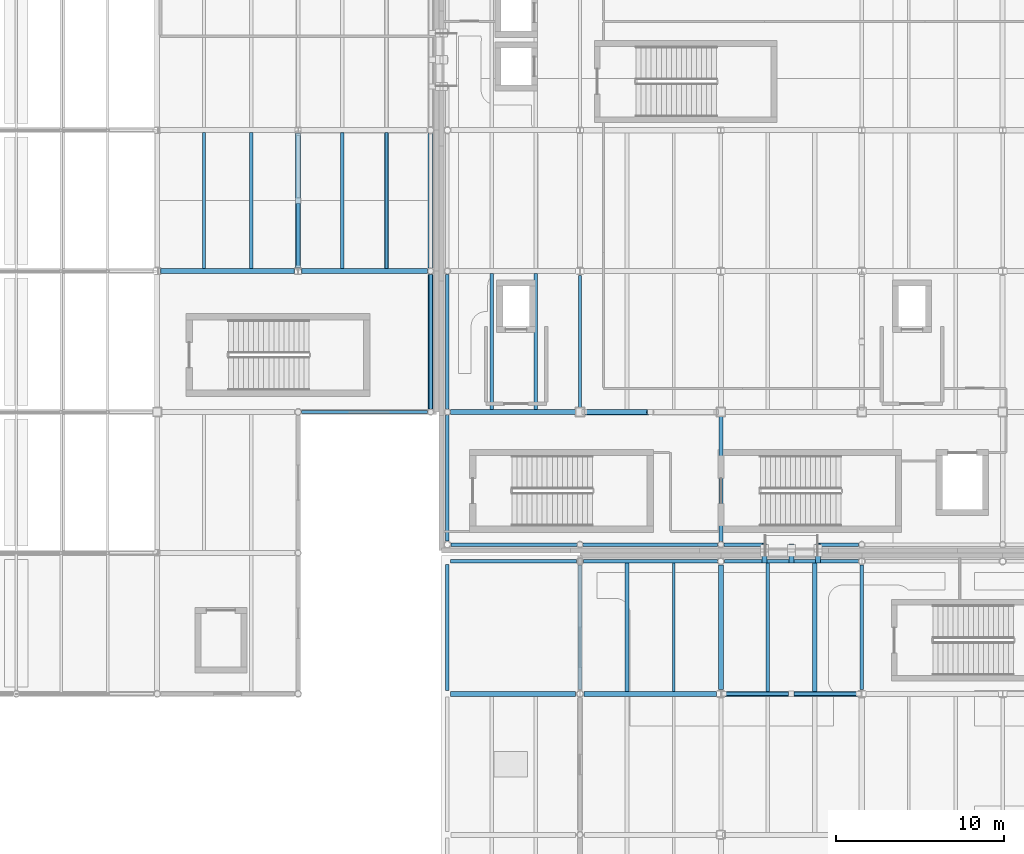
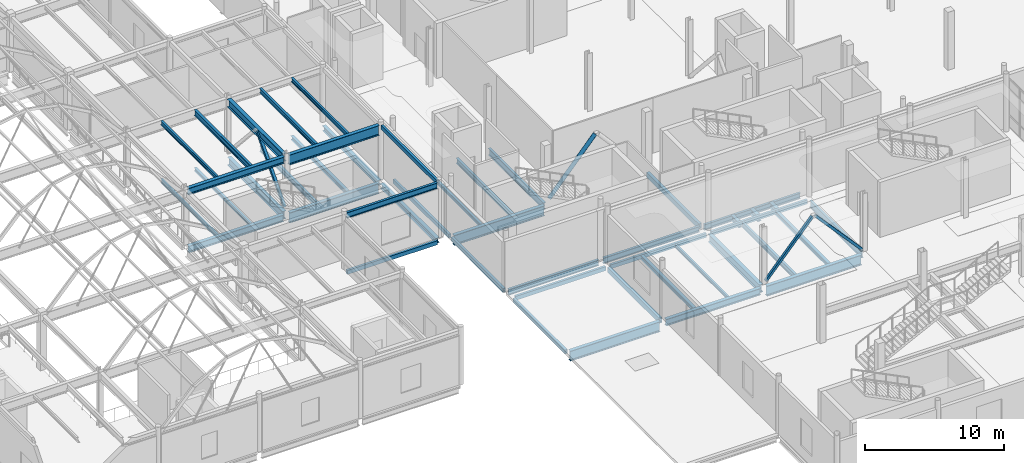
# One storey, part 24 of 103: 46 beams, 4 members.
"""IFC4 building model written with IfcOpenShell, lengths in metres."""

from ifc_helpers import new_model, si_unit, direction, frame, origin, origin_2d, place, context, subcontext, project, spatial, hollow_rectangle, hollow_circle, i_section, extrude, material, material_profile, profile_set, type_object, element, save


model = new_model("IFC4")

# Units and contexts
model_context = context("Model", 3, precision=1e-05, world=origin(), true_north=direction((0.0, 1.0)))
body_context = subcontext(model_context, "Body", "Model", "MODEL_VIEW")
ifc_project = project(units=[si_unit("LENGTHUNIT", "METRE"), si_unit("AREAUNIT", "SQUARE_METRE"), si_unit("VOLUMEUNIT", "CUBIC_METRE"), si_unit("PLANEANGLEUNIT", "RADIAN"), si_unit("MASSUNIT", "GRAM", prefix="KILO"), si_unit("THERMODYNAMICTEMPERATUREUNIT", "KELVIN")], contexts=[model_context])

# Site, building, storey
site_placement = place(None, origin())
site = spatial("IfcSite", under=ifc_project, at=site_placement, CompositionType="ELEMENT")
building_placement = place(site_placement, origin())
building = spatial("IfcBuilding", under=site, at=building_placement, Name="Lustrewick Department Store", CompositionType="ELEMENT")
storey_placement = place(building_placement, frame((0.0, 0.0, 16.5)))
storey = spatial("IfcBuildingStorey", under=building, at=storey_placement, Name="L04", CompositionType="ELEMENT", Elevation=16.5)

# Beams
ifc_material_1 = material(Name="Structural steel Q355B", Category="steel")
ifc_material_profile_1 = material_profile(ifc_material_1, i_section(OverallWidth=0.199951171875, OverallDepth=0.5, WebThickness=0.010009765625, FlangeThickness=0.01611328125, FilletRadius=0.01611328125, at=origin_2d()), Name="HN 500x200x10x16")
ifc_profile_set_1 = profile_set([ifc_material_profile_1], Name="Structural steel Q355B")
beam_type_1 = type_object("IfcBeamType", Name="B01", PredefinedType="JOIST", material=ifc_profile_set_1)
beam_1_placement = place(storey_placement, frame((98.0, 67.35009765625, 4.594970703125), z_axis=(0.0, 1.0, 0.0), x_axis=(-1.0, 0.0, 0.0)))
element("IfcBeam", 1, at=beam_1_placement, inside=storey, type_object=beam_type_1, Name="L04 V2 Secondary Joist B01", PredefinedType="JOIST", context=body_context, shape_type="SweptSolid", body=[
    extrude(i_section(OverallWidth=0.199951171875, OverallDepth=0.5, WebThickness=0.010009765625, FlangeThickness=0.01611328125, FilletRadius=0.01611328125, at=origin_2d()), origin(), (0.0, 0.0, 1.0), 8.100341796875),
])
ifc_material_profile_2 = material_profile(ifc_material_1, i_section(OverallWidth=0.198974609375, OverallDepth=0.446044921875, WebThickness=0.008056640625, FlangeThickness=0.011962890625, FilletRadius=0.01611328125, at=origin_2d()), Name="HN 446x199x8x12")
ifc_profile_set_2 = profile_set([ifc_material_profile_2], Name="Structural steel Q355B")
beam_type_2 = type_object("IfcBeamType", Name="B04", PredefinedType="JOIST", material=ifc_profile_set_2)
beam_2_placement = place(storey_placement, frame((103.433349609375, 67.35009765625, -0.47802734375), z_axis=(0.0, 1.0, 0.0), x_axis=(-1.0, 0.0, 0.0)))
element("IfcBeam", 2, at=beam_2_placement, inside=storey, type_object=beam_type_2, Name="L04 V2 Secondary Joist B04", PredefinedType="JOIST", context=body_context, shape_type="SweptSolid", body=[
    extrude(i_section(OverallWidth=0.198974609375, OverallDepth=0.446044921875, WebThickness=0.008056640625, FlangeThickness=0.011962890625, FilletRadius=0.01611328125, at=origin_2d()), origin(), (0.0, 0.0, 1.0), 8.098876953125),
])
beam_3_placement = place(storey_placement, frame((128.800048828125, 42.14990234375, -0.47802734375), z_axis=(0.0, 1.0, 0.0), x_axis=(-1.0, 0.0, 0.0)))
element("IfcBeam", 3, at=beam_3_placement, inside=storey, type_object=beam_type_2, Name="L04 V3 Secondary Joist B04", PredefinedType="JOIST", context=body_context, shape_type="SweptSolid", body=[
    extrude(i_section(OverallWidth=0.198974609375, OverallDepth=0.446044921875, WebThickness=0.008056640625, FlangeThickness=0.011962890625, FilletRadius=0.01611328125, at=origin_2d()), origin(), (0.0, 0.0, 1.0), 7.650146484375),
])
beam_4_placement = place(storey_placement, frame((114.966796875, 58.949951171875, -0.47802734375), z_axis=(0.0, 1.0, 0.0), x_axis=(-1.0, 0.0, 0.0)))
element("IfcBeam", 4, at=beam_4_placement, inside=storey, type_object=beam_type_2, Name="L04 V4 Secondary Joist B04", PredefinedType="JOIST", context=body_context, shape_type="SweptSolid", body=[
    extrude(i_section(OverallWidth=0.198974609375, OverallDepth=0.446044921875, WebThickness=0.008056640625, FlangeThickness=0.011962890625, FilletRadius=0.01611328125, at=origin_2d()), origin(), (0.0, 0.0, 1.0), 8.10009765625),
])
ifc_material_profile_3 = material_profile(ifc_material_1, i_section(OverallWidth=0.199951171875, OverallDepth=0.39990234375, WebThickness=0.008056640625, FlangeThickness=0.012939453125, FilletRadius=0.013916015625, at=origin_2d()), Name="HN 400x200x8x13")
ifc_profile_set_3 = profile_set([ifc_material_profile_3], Name="Structural steel Q355B")
beam_type_3 = type_object("IfcBeamType", Name="B05", PredefinedType="JOIST", material=ifc_profile_set_3)
beam_5_placement = place(storey_placement, frame((103.433349609375, 67.349609375, 4.64501953125), z_axis=(0.0, 1.0, 0.0), x_axis=(-1.0, 0.0, 0.0)))
element("IfcBeam", 5, at=beam_5_placement, inside=storey, type_object=beam_type_3, Name="L04 V2 Secondary Joist B05", PredefinedType="JOIST", context=body_context, shape_type="SweptSolid", body=[
    extrude(i_section(OverallWidth=0.199951171875, OverallDepth=0.39990234375, WebThickness=0.008056640625, FlangeThickness=0.012939453125, FilletRadius=0.013916015625, at=origin_2d()), origin(), (0.0, 0.0, 1.0), 8.100341796875),
])
ifc_material_profile_4 = material_profile(ifc_material_1, i_section(OverallWidth=0.25, OverallDepth=0.340087890625, WebThickness=0.009033203125, FlangeThickness=0.013916015625, FilletRadius=0.01611328125, at=origin_2d()), Name="HM 340x250x9x14")
ifc_profile_set_4 = profile_set([ifc_material_profile_4], Name="Structural steel Q355B")
beam_type_4 = type_object("IfcBeamType", Name="B08", PredefinedType="JOIST", material=ifc_profile_set_4)
beam_6_placement = place(storey_placement, frame((106.066650390625, 67.35009765625, -0.425048828125), z_axis=(0.0, 1.0, 0.0), x_axis=(-1.0, 0.0, 0.0)))
element("IfcBeam", 6, at=beam_6_placement, inside=storey, type_object=beam_type_4, Name="L04 V2 Secondary Joist B08", PredefinedType="JOIST", context=body_context, shape_type="SweptSolid", body=[
    extrude(i_section(OverallWidth=0.25, OverallDepth=0.340087890625, WebThickness=0.009033203125, FlangeThickness=0.013916015625, FilletRadius=0.01611328125, at=origin_2d()), origin(), (0.0, 0.0, 1.0), 8.098876953125),
])
for number, where, z_axis, x_axis, name in (
    (7, (120.39990234375, 42.14990234375, -0.425048828125), (0.0, 1.0, 0.0), (-1.0, 0.0, 0.0), "L04 V3 Secondary Joist B08"),
    (8, (131.60009765625, 42.14990234375, -0.425048828125), (0.0, 1.0, 0.0), (-1.0, 0.0, 0.0), "L04 V3 Secondary Joist B08"),
):
    element("IfcBeam", number, at=place(storey_placement, frame(where, z_axis=z_axis, x_axis=x_axis)), inside=storey, type_object=beam_type_4, Name=name, PredefinedType="JOIST", context=body_context, shape_type="SweptSolid", body=[
        extrude(i_section(OverallWidth=0.25, OverallDepth=0.340087890625, WebThickness=0.009033203125, FlangeThickness=0.013916015625, FilletRadius=0.01611328125, at=origin_2d()), origin(), (0.0, 0.0, 1.0), 7.650146484375),
    ])
ifc_material_profile_5 = material_profile(ifc_material_1, i_section(OverallWidth=0.175048828125, OverallDepth=0.35009765625, WebThickness=0.007080078125, FlangeThickness=0.010986328125, FilletRadius=0.012939453125, at=origin_2d()), Name="HN 350x175x7x11")
ifc_profile_set_5 = profile_set([ifc_material_profile_5], Name="Structural steel Q355B")
beam_type_5 = type_object("IfcBeamType", Name="B09", PredefinedType="JOIST", material=ifc_profile_set_5)
beam_7_placement = place(storey_placement, frame((95.199951171875, 67.35009765625, -0.429931640625), z_axis=(0.0, 1.0, 0.0), x_axis=(-1.0, 0.0, 0.0)))
element("IfcBeam", 9, at=beam_7_placement, inside=storey, type_object=beam_type_5, Name="L04 V2 Secondary Joist B09", PredefinedType="JOIST", context=body_context, shape_type="SweptSolid", body=[
    extrude(i_section(OverallWidth=0.175048828125, OverallDepth=0.35009765625, WebThickness=0.007080078125, FlangeThickness=0.010986328125, FilletRadius=0.012939453125, at=origin_2d()), origin(), (0.0, 0.0, 1.0), 8.099853515625),
])
beam_8_placement = place(storey_placement, frame((106.066650390625, 67.349609375, 4.669921875), z_axis=(0.0, 1.0, 0.0), x_axis=(-1.0, 0.0, 0.0)))
element("IfcBeam", 10, at=beam_8_placement, inside=storey, type_object=beam_type_5, Name="L04 V2 Secondary Joist B09", PredefinedType="JOIST", context=body_context, shape_type="SweptSolid", body=[
    extrude(i_section(OverallWidth=0.175048828125, OverallDepth=0.35009765625, WebThickness=0.007080078125, FlangeThickness=0.010986328125, FilletRadius=0.012939453125, at=origin_2d()), origin(), (0.0, 0.0, 1.0), 8.100341796875),
])
ifc_material_profile_6 = material_profile(ifc_material_1, i_section(OverallWidth=0.174072265625, OverallDepth=0.345947265625, WebThickness=0.006103515625, FlangeThickness=0.009033203125, FilletRadius=0.012939453125, at=origin_2d()), Name="HN 346x174x6x9")
ifc_profile_set_6 = profile_set([ifc_material_profile_6], Name="Structural steel Q355B")
beam_type_6 = type_object("IfcBeamType", Name="B10", PredefinedType="JOIST", material=ifc_profile_set_6)
beam_9_placement = place(storey_placement, frame((95.199951171875, 67.35009765625, 4.672119140625), z_axis=(0.0, 1.0, 0.0), x_axis=(-1.0, 0.0, 0.0)))
element("IfcBeam", 11, at=beam_9_placement, inside=storey, type_object=beam_type_6, Name="L04 V2 Secondary Joist B10", PredefinedType="JOIST", context=body_context, shape_type="SweptSolid", body=[
    extrude(i_section(OverallWidth=0.174072265625, OverallDepth=0.345947265625, WebThickness=0.006103515625, FlangeThickness=0.009033203125, FilletRadius=0.012939453125, at=origin_2d()), origin(), (0.0, 0.0, 1.0), 8.100341796875),
])
ifc_material_profile_7 = material_profile(ifc_material_1, i_section(OverallWidth=0.14892578125, OverallDepth=0.298095703125, WebThickness=0.005615234375, FlangeThickness=0.008056640625, FilletRadius=0.011962890625, at=origin_2d()), Name="HN 298x149x5.5x8")
ifc_profile_set_7 = profile_set([ifc_material_profile_7], Name="Structural steel Q355B")
beam_type_7 = type_object("IfcBeamType", Name="B12", PredefinedType="JOIST", material=ifc_profile_set_7)
beam_10_placement = place(storey_placement, frame((123.199951171875, 42.14990234375, -0.404052734375), z_axis=(0.0, 1.0, 0.0), x_axis=(-1.0, 0.0, 0.0)))
element("IfcBeam", 12, at=beam_10_placement, inside=storey, type_object=beam_type_7, Name="L04 V3 Secondary Joist B12", PredefinedType="JOIST", context=body_context, shape_type="SweptSolid", body=[
    extrude(i_section(OverallWidth=0.14892578125, OverallDepth=0.298095703125, WebThickness=0.005615234375, FlangeThickness=0.008056640625, FilletRadius=0.011962890625, at=origin_2d()), origin(), (0.0, 0.0, 1.0), 7.650146484375),
])
ifc_material_profile_8 = material_profile(ifc_material_1, i_section(OverallWidth=0.199951171875, OverallDepth=0.2939453125, WebThickness=0.008056640625, FlangeThickness=0.011962890625, FilletRadius=0.013916015625, at=origin_2d()), Name="HM 294x200x8x12")
ifc_profile_set_8 = profile_set([ifc_material_profile_8], Name="Structural steel Q355B")
beam_type_8 = type_object("IfcBeamType", Name="B13", PredefinedType="JOIST", material=ifc_profile_set_8)
beam_11_placement = place(storey_placement, frame((98.0, 67.35009765625, -0.402099609375), z_axis=(0.0, 1.0, 0.0), x_axis=(-1.0, 0.0, 0.0)))
element("IfcBeam", 13, at=beam_11_placement, inside=storey, type_object=beam_type_8, Name="L04 V2 Secondary Joist B13", PredefinedType="JOIST", context=body_context, shape_type="SweptSolid", body=[
    extrude(i_section(OverallWidth=0.199951171875, OverallDepth=0.2939453125, WebThickness=0.008056640625, FlangeThickness=0.011962890625, FilletRadius=0.013916015625, at=origin_2d()), origin(), (0.0, 0.0, 1.0), 8.099853515625),
])
beam_12_placement = place(storey_placement, frame((112.333251953125, 58.949951171875, -0.402099609375), z_axis=(0.0, 1.0, 0.0), x_axis=(-1.0, 0.0, 0.0)))
element("IfcBeam", 14, at=beam_12_placement, inside=storey, type_object=beam_type_8, Name="L04 V4 Secondary Joist B13", PredefinedType="JOIST", context=body_context, shape_type="SweptSolid", body=[
    extrude(i_section(OverallWidth=0.199951171875, OverallDepth=0.2939453125, WebThickness=0.008056640625, FlangeThickness=0.011962890625, FilletRadius=0.013916015625, at=origin_2d()), origin(), (0.0, 0.0, 1.0), 8.10009765625),
])

# Members
ifc_material_2 = material(Name="Structural steel Q355C", Category="steel")
ifc_material_profile_9 = material_profile(ifc_material_2, hollow_circle(Radius=0.16259765625, WallThickness=0.011962890625, at=origin_2d()), Name="CHS 325x12")
ifc_profile_set_9 = profile_set([ifc_material_profile_9], Name="Structural steel Q355C")
member_type_1 = type_object("IfcMemberType", Name="BR01", PredefinedType="BRACE", material=ifc_profile_set_9)
member_1_placement = place(storey_placement, frame((117.875, 58.800048828125, 0.14990234375), z_axis=(0.660741023398, 0.0, 0.75061394871), x_axis=(0.0, 1.0, 0.0)))
element("IfcMember", 15, at=member_1_placement, inside=storey, type_object=member_type_1, Name="L04 V4 Chevron Brace BR01", PredefinedType="BRACE", context=body_context, shape_type="SweptSolid", body=[
    extrude(hollow_circle(Radius=0.16259765625, WallThickness=0.011962890625, at=origin_2d()), origin(), (0.0, 0.0, 1.0), 5.788818359375),
])
ifc_material_profile_10 = material_profile(ifc_material_1, hollow_rectangle(XDim=0.219970703125, YDim=0.219970703125, WallThickness=0.010009765625, at=origin_2d()), Name="SHS 220x220x10")
ifc_profile_set_10 = profile_set([ifc_material_profile_10], Name="Structural steel Q355B")
member_type_2 = type_object("IfcMemberType", Name="BR08", PredefinedType="BRACE", material=ifc_profile_set_10)
member_2_placement = place(storey_placement, frame((100.800048828125, 67.39404296875, 0.14990234375), z_axis=(0.0, 0.66852136639, 0.743692935747), x_axis=(-1.0, 0.0, 0.0)))
element("IfcMember", 16, at=member_2_placement, inside=storey, type_object=member_type_2, Name="L04 V2 Chevron Brace BR08", PredefinedType="BRACE", context=body_context, shape_type="SweptSolid", body=[
    extrude(hollow_rectangle(XDim=0.219970703125, YDim=0.219970703125, WallThickness=0.010009765625, at=origin_2d()), origin(), (0.0, 0.0, 1.0), 5.8427734375),
])
ifc_material_profile_11 = material_profile(ifc_material_1, hollow_rectangle(XDim=0.199951171875, YDim=0.199951171875, WallThickness=0.010009765625, at=origin_2d()), Name="SHS 200x200x10")
ifc_profile_set_11 = profile_set([ifc_material_profile_11], Name="Structural steel Q355B")
member_type_3 = type_object("IfcMemberType", Name="BR09", PredefinedType="BRACE", material=ifc_profile_set_11)
for number, where, z_axis, x_axis, name in (
    (17, (126.194091796875, 42.0, 0.14990234375), (0.66852136639, 0.0, 0.743692935747), (0.0, 1.0, 0.0), "L04 V3 Chevron Brace BR09"),
    (18, (134.2060546875, 42.0, 0.14990234375), (-0.66852136639, 0.0, 0.743692935747), (0.0, -1.0, 0.0), "L04 V3 Chevron Brace BR09"),
):
    element("IfcMember", number, at=place(storey_placement, frame(where, z_axis=z_axis, x_axis=x_axis)), inside=storey, type_object=member_type_3, Name=name, PredefinedType="BRACE", context=body_context, shape_type="SweptSolid", body=[
        extrude(hollow_rectangle(XDim=0.199951171875, YDim=0.199951171875, WallThickness=0.010009765625, at=origin_2d()), origin(), (0.0, 0.0, 1.0), 5.8427734375),
    ])

# Beams
ifc_material_profile_12 = material_profile(ifc_material_2, i_section(OverallWidth=0.300048828125, OverallDepth=0.89990234375, WebThickness=0.01611328125, FlangeThickness=0.028076171875, FilletRadius=0.02392578125, at=origin_2d()), Name="HN 900x300x16x28")
ifc_profile_set_12 = profile_set([ifc_material_profile_12], Name="Structural steel Q355C")
beam_type_9 = type_object("IfcBeamType", Name="G02", PredefinedType="BEAM", material=ifc_profile_set_12)
beam_13_placement = place(storey_placement, frame((101.050048828125, 67.199951171875, -0.705078125), z_axis=(1.0, 0.0, 0.0), x_axis=(0.0, 1.0, 0.0)))
element("IfcBeam", 19, at=beam_13_placement, inside=storey, type_object=beam_type_9, Name="L04 V2 Girder G02", PredefinedType="BEAM", context=body_context, shape_type="SweptSolid", body=[
    extrude(i_section(OverallWidth=0.300048828125, OverallDepth=0.89990234375, WebThickness=0.01611328125, FlangeThickness=0.028076171875, FilletRadius=0.02392578125, at=origin_2d()), origin(), (0.0, 0.0, 1.0), 7.46142578125),
])
beam_14_placement = place(storey_placement, frame((126.25, 42.0, -0.705078125), z_axis=(1.0, 0.0, 0.0), x_axis=(0.0, 1.0, 0.0)))
element("IfcBeam", 20, at=beam_14_placement, inside=storey, type_object=beam_type_9, Name="L04 V3 Girder G02", PredefinedType="BEAM", context=body_context, shape_type="SweptSolid", body=[
    extrude(i_section(OverallWidth=0.300048828125, OverallDepth=0.89990234375, WebThickness=0.01611328125, FlangeThickness=0.028076171875, FilletRadius=0.02392578125, at=origin_2d()), origin(), (0.0, 0.0, 1.0), 7.89990234375),
])
beam_15_placement = place(storey_placement, frame((109.888427734375, 58.800048828125, -0.705078125), z_axis=(1.0, 0.0, 0.0), x_axis=(0.0, 1.0, 0.0)))
element("IfcBeam", 21, at=beam_15_placement, inside=storey, type_object=beam_type_9, Name="L04 V4 Girder G02", PredefinedType="BEAM", context=body_context, shape_type="SweptSolid", body=[
    extrude(i_section(OverallWidth=0.300048828125, OverallDepth=0.89990234375, WebThickness=0.01611328125, FlangeThickness=0.028076171875, FilletRadius=0.02392578125, at=origin_2d()), origin(), (0.0, 0.0, 1.0), 7.53662109375),
])
ifc_material_profile_13 = material_profile(ifc_material_2, i_section(OverallWidth=0.299072265625, OverallDepth=0.889892578125, WebThickness=0.014892578125, FlangeThickness=0.02294921875, FilletRadius=0.02392578125, at=origin_2d()), Name="HN 890x299x15x23")
ifc_profile_set_13 = profile_set([ifc_material_profile_13], Name="Structural steel Q355C")
beam_type_10 = type_object("IfcBeamType", Name="G03", PredefinedType="BEAM", material=ifc_profile_set_13)
beam_16_placement = place(storey_placement, frame((109.888427734375, 42.0, -0.699951171875), z_axis=(1.0, 0.0, 0.0), x_axis=(0.0, 1.0, 0.0)))
element("IfcBeam", 22, at=beam_16_placement, inside=storey, type_object=beam_type_10, Name="L04 V3 Girder G03", PredefinedType="BEAM", context=body_context, shape_type="SweptSolid", body=[
    extrude(i_section(OverallWidth=0.299072265625, OverallDepth=0.889892578125, WebThickness=0.014892578125, FlangeThickness=0.02294921875, FilletRadius=0.02392578125, at=origin_2d()), origin(), (0.0, 0.0, 1.0), 7.461669921875),
])
beam_17_placement = place(storey_placement, frame((101.0009765625, 67.199951171875, 4.39990234375), z_axis=(1.0, 0.0, 0.0), x_axis=(0.0, 1.0, 0.0)))
element("IfcBeam", 23, at=beam_17_placement, inside=storey, type_object=beam_type_10, Name="L04 V2 Girder G03", PredefinedType="BEAM", context=body_context, shape_type="SweptSolid", body=[
    extrude(i_section(OverallWidth=0.299072265625, OverallDepth=0.889892578125, WebThickness=0.014892578125, FlangeThickness=0.02294921875, FilletRadius=0.02392578125, at=origin_2d()), origin(), (0.0, 0.0, 1.0), 7.510498046875),
])
ifc_material_profile_14 = material_profile(ifc_material_2, i_section(OverallWidth=0.302001953125, OverallDepth=0.7080078125, WebThickness=0.014892578125, FlangeThickness=0.028076171875, FilletRadius=0.02001953125, at=origin_2d()), Name="HN 708x302x15x28")
ifc_profile_set_14 = profile_set([ifc_material_profile_14], Name="Structural steel Q355C")
beam_type_11 = type_object("IfcBeamType", Name="G07", PredefinedType="BEAM", material=ifc_profile_set_14)
beam_18_placement = place(storey_placement, frame((100.800048828125, 67.449951171875, -0.60888671875), z_axis=(0.0, 1.0, 0.0), x_axis=(-1.0, 0.0, 0.0)))
element("IfcBeam", 24, at=beam_18_placement, inside=storey, type_object=beam_type_11, Name="L04 V2 Girder G07", PredefinedType="BEAM", context=body_context, shape_type="SweptSolid", body=[
    extrude(i_section(OverallWidth=0.302001953125, OverallDepth=0.7080078125, WebThickness=0.014892578125, FlangeThickness=0.028076171875, FilletRadius=0.02001953125, at=origin_2d()), origin(), (0.0, 0.0, 1.0), 7.9560546875),
])
beam_19_placement = place(storey_placement, frame((126.0, 42.25, -0.60888671875), z_axis=(0.0, 1.0, 0.0), x_axis=(-1.0, 0.0, 0.0)))
element("IfcBeam", 25, at=beam_19_placement, inside=storey, type_object=beam_type_11, Name="L04 V3 Girder G07", PredefinedType="BEAM", context=body_context, shape_type="SweptSolid", body=[
    extrude(i_section(OverallWidth=0.302001953125, OverallDepth=0.7080078125, WebThickness=0.014892578125, FlangeThickness=0.028076171875, FilletRadius=0.02001953125, at=origin_2d()), origin(), (0.0, 0.0, 1.0), 7.447021484375),
])
ifc_material_profile_15 = material_profile(ifc_material_1, i_section(OverallWidth=0.300048828125, OverallDepth=0.699951171875, WebThickness=0.012939453125, FlangeThickness=0.02392578125, FilletRadius=0.02001953125, at=origin_2d()), Name="HN 700x300x13x24")
ifc_profile_set_15 = profile_set([ifc_material_profile_15], Name="Structural steel Q355B")
beam_type_12 = type_object("IfcBeamType", Name="G08", PredefinedType="BEAM", material=ifc_profile_set_15)
beam_20_placement = place(storey_placement, frame((100.800048828125, 67.39404296875, 4.4951171875), z_axis=(0.0, 1.0, 0.0), x_axis=(-1.0, 0.0, 0.0)))
element("IfcBeam", 26, at=beam_20_placement, inside=storey, type_object=beam_type_12, Name="L04 V2 Girder G08", PredefinedType="BEAM", context=body_context, shape_type="SweptSolid", body=[
    extrude(i_section(OverallWidth=0.300048828125, OverallDepth=0.699951171875, WebThickness=0.012939453125, FlangeThickness=0.02392578125, FilletRadius=0.02001953125, at=origin_2d()), origin(), (0.0, 0.0, 1.0), 8.031005859375),
])
ifc_material_profile_16 = material_profile(ifc_material_1, i_section(OverallWidth=0.300048828125, OverallDepth=0.587890625, WebThickness=0.011962890625, FlangeThickness=0.02001953125, FilletRadius=0.02392578125, at=origin_2d()), Name="HM 588x300x12x20")
ifc_profile_set_16 = profile_set([ifc_material_profile_16], Name="Structural steel Q355B")
beam_type_13 = type_object("IfcBeamType", Name="G11", PredefinedType="BEAM", material=ifc_profile_set_16)
beam_21_placement = place(storey_placement, frame((92.64990234375, 67.199951171875, -0.549072265625), z_axis=(1.0, 0.0, 0.0), x_axis=(0.0, 1.0, 0.0)))
element("IfcBeam", 27, at=beam_21_placement, inside=storey, type_object=beam_type_13, Name="L04 V2 Girder G11", PredefinedType="BEAM", context=body_context, shape_type="SweptSolid", body=[
    extrude(i_section(OverallWidth=0.300048828125, OverallDepth=0.587890625, WebThickness=0.011962890625, FlangeThickness=0.02001953125, FilletRadius=0.02392578125, at=origin_2d()), origin(), (0.0, 0.0, 1.0), 7.900146484375),
])
beam_22_placement = place(storey_placement, frame((117.85009765625, 42.0, -0.549072265625), z_axis=(1.0, 0.0, 0.0), x_axis=(0.0, 1.0, 0.0)))
element("IfcBeam", 28, at=beam_22_placement, inside=storey, type_object=beam_type_13, Name="L04 V3 Girder G11", PredefinedType="BEAM", context=body_context, shape_type="SweptSolid", body=[
    extrude(i_section(OverallWidth=0.300048828125, OverallDepth=0.587890625, WebThickness=0.011962890625, FlangeThickness=0.02001953125, FilletRadius=0.02392578125, at=origin_2d()), origin(), (0.0, 0.0, 1.0), 7.89990234375),
])
ifc_material_profile_17 = material_profile(ifc_material_1, i_section(OverallWidth=0.300048828125, OverallDepth=0.58203125, WebThickness=0.011962890625, FlangeThickness=0.01708984375, FilletRadius=0.02392578125, at=origin_2d()), Name="HM 582x300x12x17")
ifc_profile_set_17 = profile_set([ifc_material_profile_17], Name="Structural steel Q355B")
beam_type_14 = type_object("IfcBeamType", Name="G12", PredefinedType="BEAM", material=ifc_profile_set_17)
beam_23_placement = place(storey_placement, frame((92.60107421875, 67.199951171875, 4.553955078125), z_axis=(1.0, 0.0, 0.0), x_axis=(0.0, 1.0, 0.0)))
element("IfcBeam", 29, at=beam_23_placement, inside=storey, type_object=beam_type_14, Name="L04 V2 Girder G12", PredefinedType="BEAM", context=body_context, shape_type="SweptSolid", body=[
    extrude(i_section(OverallWidth=0.300048828125, OverallDepth=0.58203125, WebThickness=0.011962890625, FlangeThickness=0.01708984375, FilletRadius=0.02392578125, at=origin_2d()), origin(), (0.0, 0.0, 1.0), 7.998046875),
])
ifc_material_profile_18 = material_profile(ifc_material_1, i_section(OverallWidth=0.198974609375, OverallDepth=0.595947265625, WebThickness=0.010009765625, FlangeThickness=0.014892578125, FilletRadius=0.01806640625, at=origin_2d()), Name="HN 596x199x10x15")
ifc_profile_set_18 = profile_set([ifc_material_profile_18], Name="Structural steel Q355B")
beam_type_15 = type_object("IfcBeamType", Name="G15", PredefinedType="BEAM", material=ifc_profile_set_18)
beam_24_placement = place(storey_placement, frame((134.39990234375, 42.25, -0.552978515625), z_axis=(0.0, 1.0, 0.0), x_axis=(-1.0, 0.0, 0.0)))
element("IfcBeam", 30, at=beam_24_placement, inside=storey, type_object=beam_type_15, Name="L04 V3 Girder G15", PredefinedType="BEAM", context=body_context, shape_type="SweptSolid", body=[
    extrude(i_section(OverallWidth=0.198974609375, OverallDepth=0.595947265625, WebThickness=0.010009765625, FlangeThickness=0.014892578125, FilletRadius=0.01806640625, at=origin_2d()), origin(), (0.0, 0.0, 1.0), 7.447021484375),
])
beam_25_placement = place(storey_placement, frame((117.60009765625, 58.97509765625, -0.552978515625), z_axis=(0.0, 1.0, 0.0), x_axis=(-1.0, 0.0, 0.0)))
element("IfcBeam", 31, at=beam_25_placement, inside=storey, type_object=beam_type_15, Name="L04 V4 Girder G15", PredefinedType="BEAM", context=body_context, shape_type="SweptSolid", body=[
    extrude(i_section(OverallWidth=0.198974609375, OverallDepth=0.595947265625, WebThickness=0.010009765625, FlangeThickness=0.014892578125, FilletRadius=0.01806640625, at=origin_2d()), origin(), (0.0, 0.0, 1.0), 7.974853515625),
])
ifc_material_profile_19 = material_profile(ifc_material_1, i_section(OverallWidth=0.300048828125, OverallDepth=0.488037109375, WebThickness=0.010986328125, FlangeThickness=0.01806640625, FilletRadius=0.02197265625, at=origin_2d()), Name="HM 488x300x11x18")
ifc_profile_set_19 = profile_set([ifc_material_profile_19], Name="Structural steel Q355B")
beam_type_16 = type_object("IfcBeamType", Name="G16", PredefinedType="BEAM", material=ifc_profile_set_19)
for number, where, z_axis, x_axis, name in (
    (32, (128.60009765625, 49.800048828125, -0.4990234375), (0.0, 1.0, 0.0), (-1.0, 0.0, 0.0), "L04 Skybridge SB34 Girder 1"),
    (33, (131.800048828125, 49.800048828125, -0.4990234375), (0.0, 1.0, 0.0), (-1.0, 0.0, 0.0), "L04 Skybridge SB34 Girder 2"),
    (34, (130.199951171875, 49.800048828125, -0.4990234375), (0.0, 1.0, 0.0), (-1.0, 0.0, 0.0), "L04 Skybridge SB34 Girder 3"),
):
    element("IfcBeam", number, at=place(storey_placement, frame(where, z_axis=z_axis, x_axis=x_axis)), inside=storey, type_object=beam_type_16, Name=name, PredefinedType="BEAM", context=body_context, shape_type="SweptSolid", body=[
        extrude(i_section(OverallWidth=0.300048828125, OverallDepth=0.488037109375, WebThickness=0.010986328125, FlangeThickness=0.01806640625, FilletRadius=0.02197265625, at=origin_2d()), origin(), (0.0, 0.0, 1.0), 1.139892578125),
    ])
ifc_material_profile_20 = material_profile(ifc_material_2, hollow_rectangle(XDim=0.25, YDim=0.449951171875, WallThickness=0.013916015625, at=origin_2d()), Name="RHS 450x250x14")
ifc_profile_set_20 = profile_set([ifc_material_profile_20], Name="Structural steel Q355C")
beam_type_17 = type_object("IfcBeamType", Name="G18", PredefinedType="BEAM", material=ifc_profile_set_20)
beam_26_placement = place(storey_placement, frame((117.60009765625, 42.25, -0.47998046875), z_axis=(0.0, 1.0, 0.0), x_axis=(-1.0, 0.0, 0.0)))
element("IfcBeam", 35, at=beam_26_placement, inside=storey, type_object=beam_type_17, Name="L04 V3 Girder G18", PredefinedType="BEAM", context=body_context, shape_type="SweptSolid", body=[
    extrude(hollow_rectangle(XDim=0.25, YDim=0.449951171875, WallThickness=0.013916015625, at=origin_2d()), origin(), (0.0, 0.0, 1.0), 7.447021484375),
])
beam_27_placement = place(storey_placement, frame((126.0, 51.08837890625, -0.47998046875), z_axis=(0.0, 1.0, 0.0), x_axis=(-1.0, 0.0, 0.0)))
element("IfcBeam", 36, at=beam_27_placement, inside=storey, type_object=beam_type_17, Name="L04 V4 Girder G18", PredefinedType="BEAM", context=body_context, shape_type="SweptSolid", body=[
    extrude(hollow_rectangle(XDim=0.25, YDim=0.449951171875, WallThickness=0.013916015625, at=origin_2d()), origin(), (0.0, 0.0, 1.0), 7.53662109375),
])
ifc_material_profile_21 = material_profile(ifc_material_1, i_section(OverallWidth=0.200927734375, OverallDepth=0.506103515625, WebThickness=0.010986328125, FlangeThickness=0.01904296875, FilletRadius=0.01611328125, at=origin_2d()), Name="HN 506x201x11x19")
ifc_profile_set_21 = profile_set([ifc_material_profile_21], Name="Structural steel Q355B")
beam_type_18 = type_object("IfcBeamType", Name="SP01", PredefinedType="SPANDREL", material=ifc_profile_set_21)
beam_28_placement = place(storey_placement, frame((109.903076171875, 50.89990234375, -0.508056640625), z_axis=(1.0, 0.0, 0.0), x_axis=(0.0, 1.0, 0.0)))
element("IfcBeam", 37, at=beam_28_placement, inside=storey, type_object=beam_type_18, Name="L04 V4 Girder SP01", PredefinedType="SPANDREL", context=body_context, shape_type="SweptSolid", body=[
    extrude(i_section(OverallWidth=0.200927734375, OverallDepth=0.506103515625, WebThickness=0.010986328125, FlangeThickness=0.01904296875, FilletRadius=0.01611328125, at=origin_2d()), origin(), (0.0, 0.0, 1.0), 7.508544921875),
])
for number, where, z_axis, x_axis, name in (
    (38, (117.78857421875, 50.89990234375, -0.508056640625), (1.0, 0.0, 0.0), (0.0, 1.0, 0.0), "L04 V4 Girder SP01"),
    (39, (126.1884765625, 50.89990234375, -0.508056640625), (1.0, 0.0, 0.0), (0.0, 1.0, 0.0), "L04 V4 Girder SP01"),
):
    element("IfcBeam", number, at=place(storey_placement, frame(where, z_axis=z_axis, x_axis=x_axis)), inside=storey, type_object=beam_type_18, Name=name, PredefinedType="SPANDREL", context=body_context, shape_type="SweptSolid", body=[
        extrude(i_section(OverallWidth=0.200927734375, OverallDepth=0.506103515625, WebThickness=0.010986328125, FlangeThickness=0.01904296875, FilletRadius=0.01611328125, at=origin_2d()), origin(), (0.0, 0.0, 1.0), 8.02294921875),
    ])
beam_29_placement = place(storey_placement, frame((101.0029296875, 58.800048828125, 4.592041015625), z_axis=(1.0, 0.0, 0.0), x_axis=(0.0, 1.0, 0.0)))
element("IfcBeam", 40, at=beam_29_placement, inside=storey, type_object=beam_type_18, Name="L04 V2 Girder SP01", PredefinedType="SPANDREL", context=body_context, shape_type="SweptSolid", body=[
    extrude(i_section(OverallWidth=0.200927734375, OverallDepth=0.506103515625, WebThickness=0.010986328125, FlangeThickness=0.01904296875, FilletRadius=0.01611328125, at=origin_2d()), origin(), (0.0, 0.0, 1.0), 7.508544921875),
])
ifc_material_profile_22 = material_profile(ifc_material_1, i_section(OverallWidth=0.300048828125, OverallDepth=0.43994140625, WebThickness=0.010986328125, FlangeThickness=0.01806640625, FilletRadius=0.02001953125, at=origin_2d()), Name="HM 440x300x11x18")
ifc_profile_set_22 = profile_set([ifc_material_profile_22], Name="Structural steel Q355B")
beam_type_19 = type_object("IfcBeamType", Name="SP02", PredefinedType="SPANDREL", material=ifc_profile_set_22)
beam_30_placement = place(storey_placement, frame((108.699951171875, 58.988525390625, -0.47509765625), z_axis=(0.0, 1.0, 0.0), x_axis=(-1.0, 0.0, 0.0)))
element("IfcBeam", 41, at=beam_30_placement, inside=storey, type_object=beam_type_19, Name="L04 V2 Girder SP02", PredefinedType="SPANDREL", context=body_context, shape_type="SweptSolid", body=[
    extrude(i_section(OverallWidth=0.300048828125, OverallDepth=0.43994140625, WebThickness=0.010986328125, FlangeThickness=0.01806640625, FilletRadius=0.02001953125, at=origin_2d()), origin(), (0.0, 0.0, 1.0), 8.02294921875),
])
beam_31_placement = place(storey_placement, frame((108.699951171875, 67.388427734375, -0.47509765625), z_axis=(0.0, 1.0, 0.0), x_axis=(-1.0, 0.0, 0.0)))
element("IfcBeam", 42, at=beam_31_placement, inside=storey, type_object=beam_type_19, Name="L04 V2 Girder SP02", PredefinedType="SPANDREL", context=body_context, shape_type="SweptSolid", body=[
    extrude(i_section(OverallWidth=0.300048828125, OverallDepth=0.43994140625, WebThickness=0.010986328125, FlangeThickness=0.01806640625, FilletRadius=0.02001953125, at=origin_2d()), origin(), (0.0, 0.0, 1.0), 8.008544921875),
])
ifc_material_profile_23 = material_profile(ifc_material_2, hollow_rectangle(XDim=0.199951171875, YDim=0.35009765625, WallThickness=0.011962890625, at=origin_2d()), Name="RHS 350x200x12")
ifc_profile_set_23 = profile_set([ifc_material_profile_23], Name="Structural steel Q355C")
beam_type_20 = type_object("IfcBeamType", Name="SP03", PredefinedType="SPANDREL", material=ifc_profile_set_23)
for number, where, z_axis, x_axis, name in (
    (43, (101.0029296875, 58.800048828125, -0.429931640625), (1.0, 0.0, 0.0), (0.0, 1.0, 0.0), "L04 V2 Girder SP03"),
    (44, (109.888427734375, 49.89990234375, -0.429931640625), (1.0, 0.0, 0.0), (0.0, 1.0, 0.0), "L04 V3 Girder SP03"),
):
    element("IfcBeam", number, at=place(storey_placement, frame(where, z_axis=z_axis, x_axis=x_axis)), inside=storey, type_object=beam_type_20, Name=name, PredefinedType="SPANDREL", context=body_context, shape_type="SweptSolid", body=[
        extrude(hollow_rectangle(XDim=0.199951171875, YDim=0.35009765625, WallThickness=0.011962890625, at=origin_2d()), origin(), (0.0, 0.0, 1.0), 7.508544921875),
    ])
for number, where, z_axis, x_axis, name in (
    (45, (117.802978515625, 49.89990234375, -0.429931640625), (1.0, 0.0, 0.0), (0.0, 1.0, 0.0), "L04 V3 Girder SP03"),
    (46, (126.202880859375, 49.89990234375, -0.429931640625), (1.0, 0.0, 0.0), (0.0, 1.0, 0.0), "L04 V3 Girder SP03"),
):
    element("IfcBeam", number, at=place(storey_placement, frame(where, z_axis=z_axis, x_axis=x_axis)), inside=storey, type_object=beam_type_20, Name=name, PredefinedType="SPANDREL", context=body_context, shape_type="SweptSolid", body=[
        extrude(hollow_rectangle(XDim=0.199951171875, YDim=0.35009765625, WallThickness=0.011962890625, at=origin_2d()), origin(), (0.0, 0.0, 1.0), 7.994140625),
    ])
beam_32_placement = place(storey_placement, frame((109.699951171875, 42.1884765625, -0.429931640625), z_axis=(0.0, 1.0, 0.0), x_axis=(-1.0, 0.0, 0.0)))
element("IfcBeam", 47, at=beam_32_placement, inside=storey, type_object=beam_type_20, Name="L04 V3 Girder SP03", PredefinedType="SPANDREL", context=body_context, shape_type="SweptSolid", body=[
    extrude(hollow_rectangle(XDim=0.199951171875, YDim=0.35009765625, WallThickness=0.011962890625, at=origin_2d()), origin(), (0.0, 0.0, 1.0), 7.52294921875),
])
beam_33_placement = place(storey_placement, frame((109.699951171875, 51.10302734375, -0.429931640625), z_axis=(0.0, 1.0, 0.0), x_axis=(-1.0, 0.0, 0.0)))
element("IfcBeam", 48, at=beam_33_placement, inside=storey, type_object=beam_type_20, Name="L04 V4 Girder SP03", PredefinedType="SPANDREL", context=body_context, shape_type="SweptSolid", body=[
    extrude(hollow_rectangle(XDim=0.199951171875, YDim=0.35009765625, WallThickness=0.011962890625, at=origin_2d()), origin(), (0.0, 0.0, 1.0), 7.508544921875),
])
for number, where, z_axis, x_axis, name in (
    (49, (109.699951171875, 58.988525390625, -0.429931640625), (0.0, 1.0, 0.0), (-1.0, 0.0, 0.0), "L04 V4 Girder SP03"),
    (50, (108.699951171875, 58.988525390625, 4.669921875), (0.0, 1.0, 0.0), (-1.0, 0.0, 0.0), "L04 V2 Girder SP03"),
):
    element("IfcBeam", number, at=place(storey_placement, frame(where, z_axis=z_axis, x_axis=x_axis)), inside=storey, type_object=beam_type_20, Name=name, PredefinedType="SPANDREL", context=body_context, shape_type="SweptSolid", body=[
        extrude(hollow_rectangle(XDim=0.199951171875, YDim=0.35009765625, WallThickness=0.011962890625, at=origin_2d()), origin(), (0.0, 0.0, 1.0), 8.02294921875),
    ])

save(model, "model.ifc")
